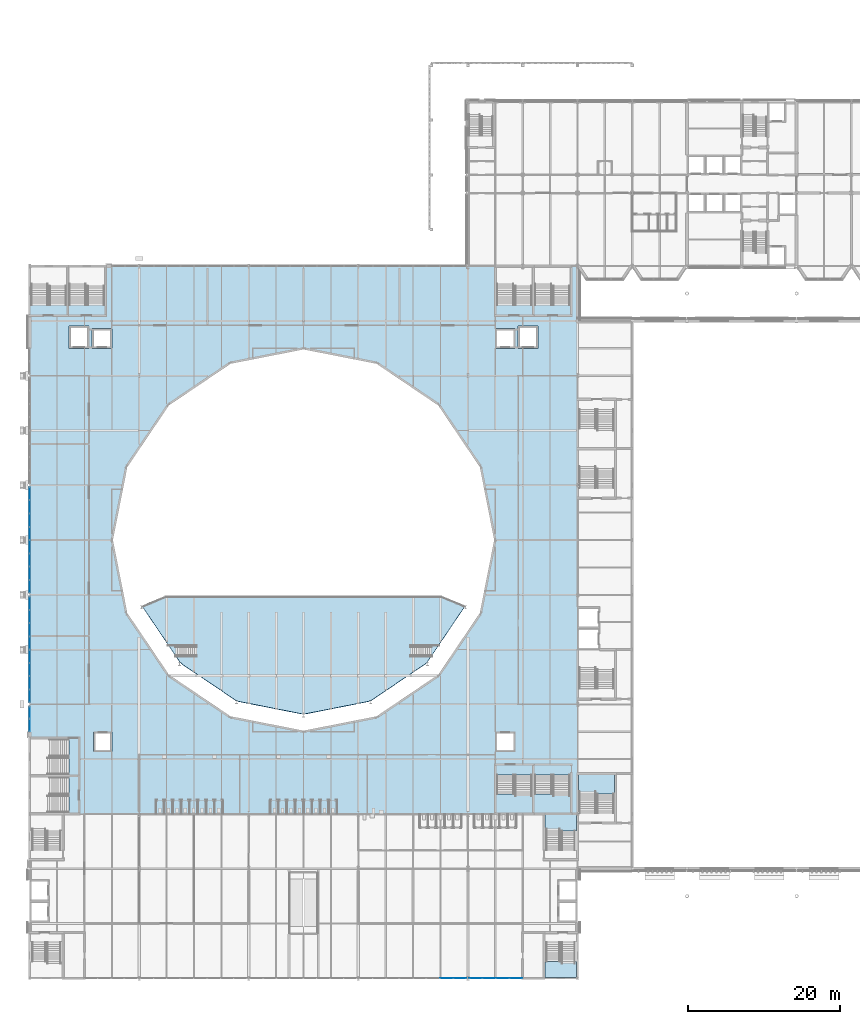
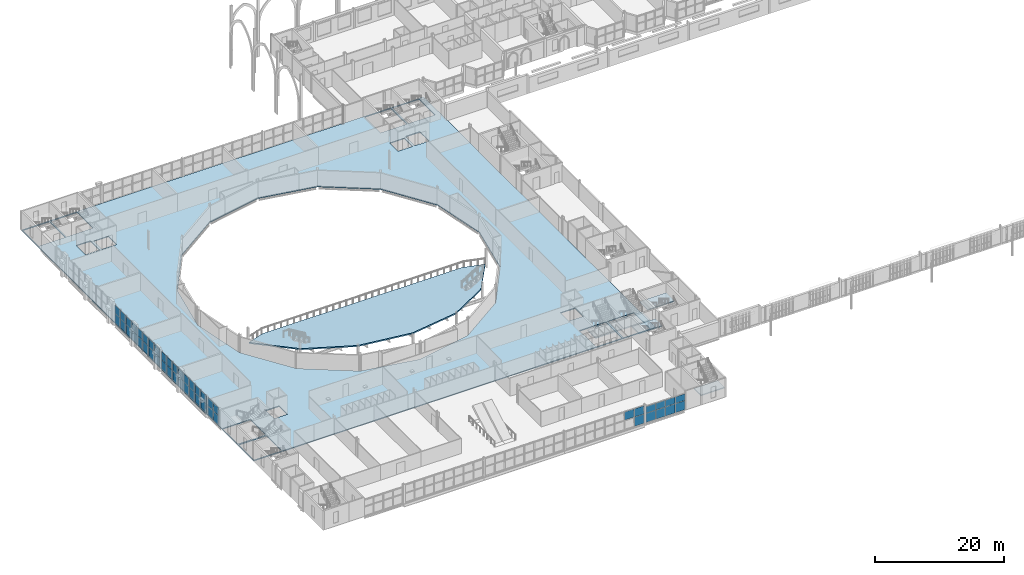
# One storey, part 58 of 124: 47 plates, 7 slabs, 12 elements without a shape of their own.
"""IFC4 building model written with IfcOpenShell, lengths in metres."""

from ifc_helpers import new_model, si_unit, direction, frame, origin, origin_2d, place, context, subcontext, project, spatial, polyline, rectangle, outline, extrude, material, layer, layer_set, type_object, element, aggregate, save


model = new_model("IFC4")

# Units and contexts
model_context = context("Model", 3, precision=1e-05, world=origin(), true_north=direction((0.0, 1.0)))
body_context = subcontext(model_context, "Body", "Model", "MODEL_VIEW")
ifc_project = project(units=[si_unit("LENGTHUNIT", "METRE"), si_unit("AREAUNIT", "SQUARE_METRE"), si_unit("VOLUMEUNIT", "CUBIC_METRE"), si_unit("PLANEANGLEUNIT", "RADIAN"), si_unit("MASSUNIT", "GRAM", prefix="KILO")], contexts=[model_context])

# Site, building, storey
site_placement = place(None, origin())
site = spatial("IfcSite", under=ifc_project, at=site_placement, CompositionType="ELEMENT")
building_placement = place(site_placement, origin())
building = spatial("IfcBuilding", under=site, at=building_placement, Name="Kupolbacken Congress Centre", CompositionType="ELEMENT")
storey_placement = place(building_placement, frame((0.0, 0.0, 10.800048828125)))
storey = spatial("IfcBuildingStorey", under=building, at=storey_placement, Name="L03", CompositionType="ELEMENT", Elevation=10.800048828125)

# Slab
ifc_material_1 = material(Name="Concrete C30/37", Category="concrete")
ifc_layer_1 = layer(ifc_material_1, 0.1201171875)
ifc_material_2 = material(Name="Steel S350 profiled deck", Category="steel")
ifc_layer_2 = layer(ifc_material_2, 0.06005859375)
ifc_layer_set_1 = layer_set([ifc_layer_1, ifc_layer_2], Name="Concrete C30/37 / Steel S350 profiled deck")
slab_type_1 = type_object("IfcSlabType", Name="FS3 slab 180", PredefinedType="FLOOR", material=ifc_layer_set_1)
slab_1_placement = place(storey_placement, frame((0.0, 0.0, -0.179931640625)))
element("IfcSlab", 1, at=slab_1_placement, inside=storey, type_object=slab_type_1, Name="S/floor/P/L03/slab/slab", PredefinedType="FLOOR", context=body_context, shape_type="SweptSolid", body=[
    extrude(outline(polyline([(7.200439453125, 50.400390625), (79.199462890625, 50.400390625), (79.199462890625, 122.3994140625), (7.200439453125, 122.3994140625), (7.200439453125, 50.400390625)]), holes=[polyline([(73.5244140625, 50.5244140625), (73.5244140625, 55.54052734375), (78.275390625, 55.54052734375), (78.275390625, 50.5244140625), (73.5244140625, 50.5244140625)]), polyline([(73.5244140625, 117.259521484375), (73.5244140625, 122.275390625), (78.275390625, 122.275390625), (78.275390625, 117.259521484375), (73.5244140625, 117.259521484375)]), polyline([(71.3994140625, 111.599609375), (71.3994140625, 114.50048828125), (74.00048828125, 114.50048828125), (74.00048828125, 111.599609375), (71.3994140625, 111.599609375)]), polyline([(73.275390625, 50.5244140625), (68.5244140625, 50.5244140625), (68.5244140625, 55.54052734375), (73.275390625, 55.54052734375), (73.275390625, 50.5244140625)]), polyline([(68.5244140625, 117.259521484375), (68.5244140625, 122.275390625), (73.275390625, 122.275390625), (73.275390625, 117.259521484375), (68.5244140625, 117.259521484375)]), polyline([(68.3994140625, 58.599609375), (68.3994140625, 61.200439453125), (71.00048828125, 61.200439453125), (71.00048828125, 58.599609375), (68.3994140625, 58.599609375)]), polyline([(68.3994140625, 111.599609375), (68.3994140625, 114.200439453125), (71.00048828125, 114.200439453125), (71.00048828125, 111.599609375), (68.3994140625, 111.599609375)]), polyline([(52.85009765625, 63.099609375), (43.199951171875, 61.199462890625), (33.5498046875, 63.099609375), (25.399658203125, 68.599609375), (19.8994140625, 76.749755859375), (17.99951171875, 86.39990234375), (19.8994140625, 96.05029296875), (25.399658203125, 104.200439453125), (33.5498046875, 109.700439453125), (43.199951171875, 111.6005859375), (52.85009765625, 109.700439453125), (61.000244140625, 104.200439453125), (66.50048828125, 96.05029296875), (68.400390625, 86.39990234375), (66.50048828125, 76.749755859375), (61.000244140625, 68.599609375), (52.85009765625, 63.099609375)]), polyline([(15.599609375, 58.599609375), (15.599609375, 61.200439453125), (18.00048828125, 61.200439453125), (18.00048828125, 58.599609375), (15.599609375, 58.599609375)]), polyline([(15.3994140625, 111.599609375), (15.3994140625, 114.200439453125), (18.00048828125, 114.200439453125), (18.00048828125, 111.599609375), (15.3994140625, 111.599609375)]), polyline([(12.324462890625, 117.259521484375), (12.324462890625, 122.275390625), (17.075439453125, 122.275390625), (17.075439453125, 117.259521484375), (12.324462890625, 117.259521484375)]), polyline([(12.3994140625, 111.599609375), (12.3994140625, 114.50048828125), (15.00048828125, 114.50048828125), (15.00048828125, 111.599609375), (12.3994140625, 111.599609375)]), polyline([(12.340576171875, 55.275390625), (12.340576171875, 50.5244140625), (7.324462890625, 50.5244140625), (7.324462890625, 55.275390625), (12.340576171875, 55.275390625)]), polyline([(7.324462890625, 55.5244140625), (7.324462890625, 60.275390625), (12.340576171875, 60.275390625), (12.340576171875, 55.5244140625), (7.324462890625, 55.5244140625)]), polyline([(7.324462890625, 117.259521484375), (7.324462890625, 122.275390625), (12.075439453125, 122.275390625), (12.075439453125, 117.259521484375), (7.324462890625, 117.259521484375)])]), origin(), (0.0, 0.0, 1.0), 0.179931640625),
])

# Curtain wall, plates
ifc_material_3 = material(Name="Aluminium mullion-transom frame with glass", Category="aluminium")
curtain_wall_type_1 = type_object("IfcCurtainWallType", Name="CW1 curtain wall 7200x3600", PredefinedType="NOTDEFINED", material=ifc_material_3)
curtain_wall_1_placement = place(storey_placement, origin())
curtain_wall_1 = element("IfcCurtainWall", 2, at=curtain_wall_1_placement, inside=storey, type_object=curtain_wall_type_1, Name="E/F/S/L03/334", PredefinedType="NOTDEFINED")
ifc_material_4 = material(Name="Glass", Category="glass")
ifc_layer_3 = layer(ifc_material_4, 0.035888671875)
ifc_layer_set_2 = layer_set([ifc_layer_3], Name="Glass")
plate_type = type_object("IfcPlateType", Name="GL2 glass panel 36", PredefinedType="CURTAIN_PANEL", material=ifc_layer_set_2)
plate_1_placement = place(storey_placement, frame((62.00634765625, 28.800048828125, 1.824951171875), z_axis=(0.0, 0.0, 1.0), x_axis=(1.0, 0.0, 0.0)))
plate_1 = element("IfcPlate", 3, at=plate_1_placement, type_object=plate_type, Name="CW1 panel 3.2", PredefinedType="CURTAIN_PANEL", context=body_context, shape_type="SweptSolid", body=[
    extrude(rectangle(XDim=1.71240234375, YDim=0.035888671875, at=origin_2d()), origin(), (0.0, 0.0, 1.0), 1.544921875),
])
plate_2_placement = place(storey_placement, frame((63.75634765625, 28.800048828125, 0.0498046875), z_axis=(0.0, 0.0, 1.0), x_axis=(1.0, 0.0, 0.0)))
plate_2 = element("IfcPlate", 4, at=plate_2_placement, type_object=plate_type, Name="CW1 panel 4.1", PredefinedType="CURTAIN_PANEL", context=body_context, shape_type="SweptSolid", body=[
    extrude(rectangle(XDim=1.6875, YDim=0.035888671875, at=origin_2d()), origin(), (0.0, 0.0, 1.0), 1.72509765625),
])
plate_3_placement = place(storey_placement, frame((63.75634765625, 28.800048828125, 1.824951171875), z_axis=(0.0, 0.0, 1.0), x_axis=(1.0, 0.0, 0.0)))
plate_3 = element("IfcPlate", 5, at=plate_3_placement, type_object=plate_type, Name="CW1 panel 4.2", PredefinedType="CURTAIN_PANEL", context=body_context, shape_type="SweptSolid", body=[
    extrude(rectangle(XDim=1.6875, YDim=0.035888671875, at=origin_2d()), origin(), (0.0, 0.0, 1.0), 1.544921875),
])
aggregate(curtain_wall_1, [plate_1, plate_2, plate_3])

curtain_wall_2_placement = place(storey_placement, origin())
curtain_wall_2 = element("IfcCurtainWall", 6, at=curtain_wall_2_placement, inside=storey, type_object=curtain_wall_type_1, Name="E/F/S/L03/335", PredefinedType="NOTDEFINED")
plate_4_placement = place(storey_placement, frame((65.84375, 28.800048828125, 0.0498046875), z_axis=(0.0, 0.0, 1.0), x_axis=(1.0, 0.0, 0.0)))
plate_4 = element("IfcPlate", 7, at=plate_4_placement, type_object=plate_type, Name="CW1 panel 1.1", PredefinedType="CURTAIN_PANEL", context=body_context, shape_type="SweptSolid", body=[
    extrude(rectangle(XDim=1.6875, YDim=0.035888671875, at=origin_2d()), origin(), (0.0, 0.0, 1.0), 1.72509765625),
])
plate_5_placement = place(storey_placement, frame((65.84375, 28.800048828125, 1.824951171875), z_axis=(0.0, 0.0, 1.0), x_axis=(1.0, 0.0, 0.0)))
plate_5 = element("IfcPlate", 8, at=plate_5_placement, type_object=plate_type, Name="CW1 panel 1.2", PredefinedType="CURTAIN_PANEL", context=body_context, shape_type="SweptSolid", body=[
    extrude(rectangle(XDim=1.6875, YDim=0.035888671875, at=origin_2d()), origin(), (0.0, 0.0, 1.0), 1.2451171875),
])
plate_6_placement = place(storey_placement, frame((67.59375, 28.800048828125, 0.0498046875), z_axis=(0.0, 0.0, 1.0), x_axis=(1.0, 0.0, 0.0)))
plate_6 = element("IfcPlate", 9, at=plate_6_placement, type_object=plate_type, Name="CW1 panel 2.1", PredefinedType="CURTAIN_PANEL", context=body_context, shape_type="SweptSolid", body=[
    extrude(rectangle(XDim=1.71240234375, YDim=0.035888671875, at=origin_2d()), origin(), (0.0, 0.0, 1.0), 1.72509765625),
])
plate_7_placement = place(storey_placement, frame((67.59375, 28.800048828125, 1.824951171875), z_axis=(0.0, 0.0, 1.0), x_axis=(1.0, 0.0, 0.0)))
plate_7 = element("IfcPlate", 10, at=plate_7_placement, type_object=plate_type, Name="CW1 panel 2.2", PredefinedType="CURTAIN_PANEL", context=body_context, shape_type="SweptSolid", body=[
    extrude(rectangle(XDim=1.71240234375, YDim=0.035888671875, at=origin_2d()), origin(), (0.0, 0.0, 1.0), 1.2451171875),
])
plate_8_placement = place(storey_placement, frame((69.356201171875, 28.800048828125, 0.0498046875), z_axis=(0.0, 0.0, 1.0), x_axis=(1.0, 0.0, 0.0)))
plate_8 = element("IfcPlate", 11, at=plate_8_placement, type_object=plate_type, Name="CW1 panel 3.1", PredefinedType="CURTAIN_PANEL", context=body_context, shape_type="SweptSolid", body=[
    extrude(rectangle(XDim=1.71240234375, YDim=0.035888671875, at=origin_2d()), origin(), (0.0, 0.0, 1.0), 1.72509765625),
])
plate_9_placement = place(storey_placement, frame((69.356201171875, 28.800048828125, 1.824951171875), z_axis=(0.0, 0.0, 1.0), x_axis=(1.0, 0.0, 0.0)))
plate_9 = element("IfcPlate", 12, at=plate_9_placement, type_object=plate_type, Name="CW1 panel 3.2", PredefinedType="CURTAIN_PANEL", context=body_context, shape_type="SweptSolid", body=[
    extrude(rectangle(XDim=1.71240234375, YDim=0.035888671875, at=origin_2d()), origin(), (0.0, 0.0, 1.0), 1.2451171875),
])
plate_10_placement = place(storey_placement, frame((71.106201171875, 28.800048828125, 0.0498046875), z_axis=(0.0, 0.0, 1.0), x_axis=(1.0, 0.0, 0.0)))
plate_10 = element("IfcPlate", 13, at=plate_10_placement, type_object=plate_type, Name="CW1 panel 4.1", PredefinedType="CURTAIN_PANEL", context=body_context, shape_type="SweptSolid", body=[
    extrude(rectangle(XDim=1.6875, YDim=0.035888671875, at=origin_2d()), origin(), (0.0, 0.0, 1.0), 1.72509765625),
])
plate_11_placement = place(storey_placement, frame((71.106201171875, 28.800048828125, 1.824951171875), z_axis=(0.0, 0.0, 1.0), x_axis=(1.0, 0.0, 0.0)))
plate_11 = element("IfcPlate", 14, at=plate_11_placement, type_object=plate_type, Name="CW1 panel 4.2", PredefinedType="CURTAIN_PANEL", context=body_context, shape_type="SweptSolid", body=[
    extrude(rectangle(XDim=1.6875, YDim=0.035888671875, at=origin_2d()), origin(), (0.0, 0.0, 1.0), 1.2451171875),
])
aggregate(curtain_wall_2, [plate_4, plate_5, plate_6, plate_7, plate_8, plate_9, plate_10, plate_11])

curtain_wall_3_placement = place(storey_placement, origin())
curtain_wall_3 = element("IfcCurtainWall", 15, at=curtain_wall_3_placement, inside=storey, type_object=curtain_wall_type_1, Name="E/P/W/L03/389", PredefinedType="NOTDEFINED")
plate_12_placement = place(storey_placement, frame((7.199951171875, 92.49072265625, 0.0498046875), z_axis=(0.0, 0.0, 1.0), x_axis=(0.0, -1.0, 0.0)))
plate_12 = element("IfcPlate", 16, at=plate_12_placement, type_object=plate_type, Name="CW1 panel 1.1", PredefinedType="CURTAIN_PANEL", context=body_context, shape_type="SweptSolid", body=[
    extrude(rectangle(XDim=1.668701171875, YDim=0.035888671875, at=origin_2d()), origin(), (0.0, 0.0, 1.0), 1.72509765625),
])
plate_13_placement = place(storey_placement, frame((7.199951171875, 92.49072265625, 1.824951171875), z_axis=(0.0, 0.0, 1.0), x_axis=(0.0, -1.0, 0.0)))
plate_13 = element("IfcPlate", 17, at=plate_13_placement, type_object=plate_type, Name="CW1 panel 1.2", PredefinedType="CURTAIN_PANEL", context=body_context, shape_type="SweptSolid", body=[
    extrude(rectangle(XDim=1.668701171875, YDim=0.035888671875, at=origin_2d()), origin(), (0.0, 0.0, 1.0), 1.544921875),
])
plate_14_placement = place(storey_placement, frame((7.199951171875, 90.75927734375, 0.0498046875), z_axis=(0.0, 0.0, 1.0), x_axis=(0.0, -1.0, 0.0)))
plate_14 = element("IfcPlate", 18, at=plate_14_placement, type_object=plate_type, Name="CW1 panel 2.1", PredefinedType="CURTAIN_PANEL", context=body_context, shape_type="SweptSolid", body=[
    extrude(rectangle(XDim=1.69384765625, YDim=0.035888671875, at=origin_2d()), origin(), (0.0, 0.0, 1.0), 1.72509765625),
])
plate_15_placement = place(storey_placement, frame((7.199951171875, 90.75927734375, 1.824951171875), z_axis=(0.0, 0.0, 1.0), x_axis=(0.0, -1.0, 0.0)))
plate_15 = element("IfcPlate", 19, at=plate_15_placement, type_object=plate_type, Name="CW1 panel 2.2", PredefinedType="CURTAIN_PANEL", context=body_context, shape_type="SweptSolid", body=[
    extrude(rectangle(XDim=1.69384765625, YDim=0.035888671875, at=origin_2d()), origin(), (0.0, 0.0, 1.0), 1.544921875),
])
plate_16_placement = place(storey_placement, frame((7.199951171875, 89.015625, 0.0498046875), z_axis=(0.0, 0.0, 1.0), x_axis=(0.0, -1.0, 0.0)))
plate_16 = element("IfcPlate", 20, at=plate_16_placement, type_object=plate_type, Name="CW1 panel 3.1", PredefinedType="CURTAIN_PANEL", context=body_context, shape_type="SweptSolid", body=[
    extrude(rectangle(XDim=1.69384765625, YDim=0.035888671875, at=origin_2d()), origin(), (0.0, 0.0, 1.0), 1.72509765625),
])
plate_17_placement = place(storey_placement, frame((7.199951171875, 89.015625, 1.824951171875), z_axis=(0.0, 0.0, 1.0), x_axis=(0.0, -1.0, 0.0)))
plate_17 = element("IfcPlate", 21, at=plate_17_placement, type_object=plate_type, Name="CW1 panel 3.2", PredefinedType="CURTAIN_PANEL", context=body_context, shape_type="SweptSolid", body=[
    extrude(rectangle(XDim=1.69384765625, YDim=0.035888671875, at=origin_2d()), origin(), (0.0, 0.0, 1.0), 1.544921875),
])
plate_18_placement = place(storey_placement, frame((7.199951171875, 87.284423828125, 0.0498046875), z_axis=(0.0, 0.0, 1.0), x_axis=(0.0, -1.0, 0.0)))
plate_18 = element("IfcPlate", 22, at=plate_18_placement, type_object=plate_type, Name="CW1 panel 4.1", PredefinedType="CURTAIN_PANEL", context=body_context, shape_type="SweptSolid", body=[
    extrude(rectangle(XDim=1.668701171875, YDim=0.035888671875, at=origin_2d()), origin(), (0.0, 0.0, 1.0), 1.72509765625),
])
plate_19_placement = place(storey_placement, frame((7.199951171875, 87.284423828125, 1.824951171875), z_axis=(0.0, 0.0, 1.0), x_axis=(0.0, -1.0, 0.0)))
plate_19 = element("IfcPlate", 23, at=plate_19_placement, type_object=plate_type, Name="CW1 panel 4.2", PredefinedType="CURTAIN_PANEL", context=body_context, shape_type="SweptSolid", body=[
    extrude(rectangle(XDim=1.668701171875, YDim=0.035888671875, at=origin_2d()), origin(), (0.0, 0.0, 1.0), 1.544921875),
])
aggregate(curtain_wall_3, [plate_12, plate_13, plate_14, plate_15, plate_16, plate_17, plate_18, plate_19])

curtain_wall_4_placement = place(storey_placement, origin())
curtain_wall_4 = element("IfcCurtainWall", 24, at=curtain_wall_4_placement, inside=storey, type_object=curtain_wall_type_1, Name="E/P/W/L03/390", PredefinedType="NOTDEFINED")
plate_20_placement = place(storey_placement, frame((7.199951171875, 85.515625, 0.0498046875), z_axis=(0.0, 0.0, 1.0), x_axis=(0.0, -1.0, 0.0)))
plate_20 = element("IfcPlate", 25, at=plate_20_placement, type_object=plate_type, Name="CW1 panel 1.1", PredefinedType="CURTAIN_PANEL", context=body_context, shape_type="SweptSolid", body=[
    extrude(rectangle(XDim=1.668701171875, YDim=0.035888671875, at=origin_2d()), origin(), (0.0, 0.0, 1.0), 1.72509765625),
])
plate_21_placement = place(storey_placement, frame((7.199951171875, 85.515625, 1.824951171875), z_axis=(0.0, 0.0, 1.0), x_axis=(0.0, -1.0, 0.0)))
plate_21 = element("IfcPlate", 26, at=plate_21_placement, type_object=plate_type, Name="CW1 panel 1.2", PredefinedType="CURTAIN_PANEL", context=body_context, shape_type="SweptSolid", body=[
    extrude(rectangle(XDim=1.668701171875, YDim=0.035888671875, at=origin_2d()), origin(), (0.0, 0.0, 1.0), 1.544921875),
])
plate_22_placement = place(storey_placement, frame((7.199951171875, 83.784423828125, 0.0498046875), z_axis=(0.0, 0.0, 1.0), x_axis=(0.0, -1.0, 0.0)))
plate_22 = element("IfcPlate", 27, at=plate_22_placement, type_object=plate_type, Name="CW1 panel 2.1", PredefinedType="CURTAIN_PANEL", context=body_context, shape_type="SweptSolid", body=[
    extrude(rectangle(XDim=1.69384765625, YDim=0.035888671875, at=origin_2d()), origin(), (0.0, 0.0, 1.0), 1.72509765625),
])
plate_23_placement = place(storey_placement, frame((7.199951171875, 83.784423828125, 1.824951171875), z_axis=(0.0, 0.0, 1.0), x_axis=(0.0, -1.0, 0.0)))
plate_23 = element("IfcPlate", 28, at=plate_23_placement, type_object=plate_type, Name="CW1 panel 2.2", PredefinedType="CURTAIN_PANEL", context=body_context, shape_type="SweptSolid", body=[
    extrude(rectangle(XDim=1.69384765625, YDim=0.035888671875, at=origin_2d()), origin(), (0.0, 0.0, 1.0), 1.544921875),
])
plate_24_placement = place(storey_placement, frame((7.199951171875, 82.04052734375, 0.0498046875), z_axis=(0.0, 0.0, 1.0), x_axis=(0.0, -1.0, 0.0)))
plate_24 = element("IfcPlate", 29, at=plate_24_placement, type_object=plate_type, Name="CW1 panel 3.1", PredefinedType="CURTAIN_PANEL", context=body_context, shape_type="SweptSolid", body=[
    extrude(rectangle(XDim=1.69384765625, YDim=0.035888671875, at=origin_2d()), origin(), (0.0, 0.0, 1.0), 1.72509765625),
])
plate_25_placement = place(storey_placement, frame((7.199951171875, 82.04052734375, 1.824951171875), z_axis=(0.0, 0.0, 1.0), x_axis=(0.0, -1.0, 0.0)))
plate_25 = element("IfcPlate", 30, at=plate_25_placement, type_object=plate_type, Name="CW1 panel 3.2", PredefinedType="CURTAIN_PANEL", context=body_context, shape_type="SweptSolid", body=[
    extrude(rectangle(XDim=1.69384765625, YDim=0.035888671875, at=origin_2d()), origin(), (0.0, 0.0, 1.0), 1.544921875),
])
plate_26_placement = place(storey_placement, frame((7.199951171875, 80.309326171875, 0.0498046875), z_axis=(0.0, 0.0, 1.0), x_axis=(0.0, -1.0, 0.0)))
plate_26 = element("IfcPlate", 31, at=plate_26_placement, type_object=plate_type, Name="CW1 panel 4.1", PredefinedType="CURTAIN_PANEL", context=body_context, shape_type="SweptSolid", body=[
    extrude(rectangle(XDim=1.668701171875, YDim=0.035888671875, at=origin_2d()), origin(), (0.0, 0.0, 1.0), 1.72509765625),
])
plate_27_placement = place(storey_placement, frame((7.199951171875, 80.309326171875, 1.824951171875), z_axis=(0.0, 0.0, 1.0), x_axis=(0.0, -1.0, 0.0)))
plate_27 = element("IfcPlate", 32, at=plate_27_placement, type_object=plate_type, Name="CW1 panel 4.2", PredefinedType="CURTAIN_PANEL", context=body_context, shape_type="SweptSolid", body=[
    extrude(rectangle(XDim=1.668701171875, YDim=0.035888671875, at=origin_2d()), origin(), (0.0, 0.0, 1.0), 1.544921875),
])
aggregate(curtain_wall_4, [plate_20, plate_21, plate_22, plate_23, plate_24, plate_25, plate_26, plate_27])

curtain_wall_5_placement = place(storey_placement, origin())
curtain_wall_5 = element("IfcCurtainWall", 33, at=curtain_wall_5_placement, inside=storey, type_object=curtain_wall_type_1, Name="E/P/W/L03/391", PredefinedType="NOTDEFINED")
plate_28_placement = place(storey_placement, frame((7.199951171875, 78.090576171875, 0.0498046875), z_axis=(0.0, 0.0, 1.0), x_axis=(0.0, -1.0, 0.0)))
plate_28 = element("IfcPlate", 34, at=plate_28_placement, type_object=plate_type, Name="CW1 panel 1.1", PredefinedType="CURTAIN_PANEL", context=body_context, shape_type="SweptSolid", body=[
    extrude(rectangle(XDim=1.668701171875, YDim=0.035888671875, at=origin_2d()), origin(), (0.0, 0.0, 1.0), 1.72509765625),
])
plate_29_placement = place(storey_placement, frame((7.199951171875, 78.090576171875, 1.824951171875), z_axis=(0.0, 0.0, 1.0), x_axis=(0.0, -1.0, 0.0)))
plate_29 = element("IfcPlate", 35, at=plate_29_placement, type_object=plate_type, Name="CW1 panel 1.2", PredefinedType="CURTAIN_PANEL", context=body_context, shape_type="SweptSolid", body=[
    extrude(rectangle(XDim=1.668701171875, YDim=0.035888671875, at=origin_2d()), origin(), (0.0, 0.0, 1.0), 1.544921875),
])
plate_30_placement = place(storey_placement, frame((7.199951171875, 76.359375, 0.0498046875), z_axis=(0.0, 0.0, 1.0), x_axis=(0.0, -1.0, 0.0)))
plate_30 = element("IfcPlate", 36, at=plate_30_placement, type_object=plate_type, Name="CW1 panel 2.1", PredefinedType="CURTAIN_PANEL", context=body_context, shape_type="SweptSolid", body=[
    extrude(rectangle(XDim=1.69384765625, YDim=0.035888671875, at=origin_2d()), origin(), (0.0, 0.0, 1.0), 1.72509765625),
])
plate_31_placement = place(storey_placement, frame((7.199951171875, 76.359375, 1.824951171875), z_axis=(0.0, 0.0, 1.0), x_axis=(0.0, -1.0, 0.0)))
plate_31 = element("IfcPlate", 37, at=plate_31_placement, type_object=plate_type, Name="CW1 panel 2.2", PredefinedType="CURTAIN_PANEL", context=body_context, shape_type="SweptSolid", body=[
    extrude(rectangle(XDim=1.69384765625, YDim=0.035888671875, at=origin_2d()), origin(), (0.0, 0.0, 1.0), 1.544921875),
])
plate_32_placement = place(storey_placement, frame((7.199951171875, 74.61572265625, 0.0498046875), z_axis=(0.0, 0.0, 1.0), x_axis=(0.0, -1.0, 0.0)))
plate_32 = element("IfcPlate", 38, at=plate_32_placement, type_object=plate_type, Name="CW1 panel 3.1", PredefinedType="CURTAIN_PANEL", context=body_context, shape_type="SweptSolid", body=[
    extrude(rectangle(XDim=1.69384765625, YDim=0.035888671875, at=origin_2d()), origin(), (0.0, 0.0, 1.0), 1.72509765625),
])
plate_33_placement = place(storey_placement, frame((7.199951171875, 74.61572265625, 1.824951171875), z_axis=(0.0, 0.0, 1.0), x_axis=(0.0, -1.0, 0.0)))
plate_33 = element("IfcPlate", 39, at=plate_33_placement, type_object=plate_type, Name="CW1 panel 3.2", PredefinedType="CURTAIN_PANEL", context=body_context, shape_type="SweptSolid", body=[
    extrude(rectangle(XDim=1.69384765625, YDim=0.035888671875, at=origin_2d()), origin(), (0.0, 0.0, 1.0), 1.544921875),
])
plate_34_placement = place(storey_placement, frame((7.199951171875, 72.88427734375, 0.0498046875), z_axis=(0.0, 0.0, 1.0), x_axis=(0.0, -1.0, 0.0)))
plate_34 = element("IfcPlate", 40, at=plate_34_placement, type_object=plate_type, Name="CW1 panel 4.1", PredefinedType="CURTAIN_PANEL", context=body_context, shape_type="SweptSolid", body=[
    extrude(rectangle(XDim=1.668701171875, YDim=0.035888671875, at=origin_2d()), origin(), (0.0, 0.0, 1.0), 1.72509765625),
])
plate_35_placement = place(storey_placement, frame((7.199951171875, 72.88427734375, 1.824951171875), z_axis=(0.0, 0.0, 1.0), x_axis=(0.0, -1.0, 0.0)))
plate_35 = element("IfcPlate", 41, at=plate_35_placement, type_object=plate_type, Name="CW1 panel 4.2", PredefinedType="CURTAIN_PANEL", context=body_context, shape_type="SweptSolid", body=[
    extrude(rectangle(XDim=1.668701171875, YDim=0.035888671875, at=origin_2d()), origin(), (0.0, 0.0, 1.0), 1.544921875),
])
aggregate(curtain_wall_5, [plate_28, plate_29, plate_30, plate_31, plate_32, plate_33, plate_34, plate_35])

curtain_wall_6_placement = place(storey_placement, origin())
curtain_wall_6 = element("IfcCurtainWall", 42, at=curtain_wall_6_placement, inside=storey, type_object=curtain_wall_type_1, Name="E/P/W/L03/392", PredefinedType="NOTDEFINED")
plate_36_placement = place(storey_placement, frame((7.199951171875, 71.11572265625, 0.0498046875), z_axis=(0.0, 0.0, 1.0), x_axis=(0.0, -1.0, 0.0)))
plate_36 = element("IfcPlate", 43, at=plate_36_placement, type_object=plate_type, Name="CW1 panel 1.1", PredefinedType="CURTAIN_PANEL", context=body_context, shape_type="SweptSolid", body=[
    extrude(rectangle(XDim=1.668701171875, YDim=0.035888671875, at=origin_2d()), origin(), (0.0, 0.0, 1.0), 1.72509765625),
])
plate_37_placement = place(storey_placement, frame((7.199951171875, 71.11572265625, 1.824951171875), z_axis=(0.0, 0.0, 1.0), x_axis=(0.0, -1.0, 0.0)))
plate_37 = element("IfcPlate", 44, at=plate_37_placement, type_object=plate_type, Name="CW1 panel 1.2", PredefinedType="CURTAIN_PANEL", context=body_context, shape_type="SweptSolid", body=[
    extrude(rectangle(XDim=1.668701171875, YDim=0.035888671875, at=origin_2d()), origin(), (0.0, 0.0, 1.0), 1.544921875),
])
plate_38_placement = place(storey_placement, frame((7.199951171875, 69.38427734375, 0.0498046875), z_axis=(0.0, 0.0, 1.0), x_axis=(0.0, -1.0, 0.0)))
plate_38 = element("IfcPlate", 45, at=plate_38_placement, type_object=plate_type, Name="CW1 panel 2.1", PredefinedType="CURTAIN_PANEL", context=body_context, shape_type="SweptSolid", body=[
    extrude(rectangle(XDim=1.69384765625, YDim=0.035888671875, at=origin_2d()), origin(), (0.0, 0.0, 1.0), 1.72509765625),
])
plate_39_placement = place(storey_placement, frame((7.199951171875, 69.38427734375, 1.824951171875), z_axis=(0.0, 0.0, 1.0), x_axis=(0.0, -1.0, 0.0)))
plate_39 = element("IfcPlate", 46, at=plate_39_placement, type_object=plate_type, Name="CW1 panel 2.2", PredefinedType="CURTAIN_PANEL", context=body_context, shape_type="SweptSolid", body=[
    extrude(rectangle(XDim=1.69384765625, YDim=0.035888671875, at=origin_2d()), origin(), (0.0, 0.0, 1.0), 1.544921875),
])
plate_40_placement = place(storey_placement, frame((7.199951171875, 67.640625, 0.0498046875), z_axis=(0.0, 0.0, 1.0), x_axis=(0.0, -1.0, 0.0)))
plate_40 = element("IfcPlate", 47, at=plate_40_placement, type_object=plate_type, Name="CW1 panel 3.1", PredefinedType="CURTAIN_PANEL", context=body_context, shape_type="SweptSolid", body=[
    extrude(rectangle(XDim=1.69384765625, YDim=0.035888671875, at=origin_2d()), origin(), (0.0, 0.0, 1.0), 1.72509765625),
])
plate_41_placement = place(storey_placement, frame((7.199951171875, 67.640625, 1.824951171875), z_axis=(0.0, 0.0, 1.0), x_axis=(0.0, -1.0, 0.0)))
plate_41 = element("IfcPlate", 48, at=plate_41_placement, type_object=plate_type, Name="CW1 panel 3.2", PredefinedType="CURTAIN_PANEL", context=body_context, shape_type="SweptSolid", body=[
    extrude(rectangle(XDim=1.69384765625, YDim=0.035888671875, at=origin_2d()), origin(), (0.0, 0.0, 1.0), 1.544921875),
])
plate_42_placement = place(storey_placement, frame((7.199951171875, 65.909423828125, 0.0498046875), z_axis=(0.0, 0.0, 1.0), x_axis=(0.0, -1.0, 0.0)))
plate_42 = element("IfcPlate", 49, at=plate_42_placement, type_object=plate_type, Name="CW1 panel 4.1", PredefinedType="CURTAIN_PANEL", context=body_context, shape_type="SweptSolid", body=[
    extrude(rectangle(XDim=1.668701171875, YDim=0.035888671875, at=origin_2d()), origin(), (0.0, 0.0, 1.0), 1.72509765625),
])
plate_43_placement = place(storey_placement, frame((7.199951171875, 65.909423828125, 1.824951171875), z_axis=(0.0, 0.0, 1.0), x_axis=(0.0, -1.0, 0.0)))
plate_43 = element("IfcPlate", 50, at=plate_43_placement, type_object=plate_type, Name="CW1 panel 4.2", PredefinedType="CURTAIN_PANEL", context=body_context, shape_type="SweptSolid", body=[
    extrude(rectangle(XDim=1.668701171875, YDim=0.035888671875, at=origin_2d()), origin(), (0.0, 0.0, 1.0), 1.544921875),
])
aggregate(curtain_wall_6, [plate_36, plate_37, plate_38, plate_39, plate_40, plate_41, plate_42, plate_43])

ifc_material_5 = material(Name="Aluminium mullion-transom frame with glass", Category="aluminium")
curtain_wall_type_2 = type_object("IfcCurtainWallType", Name="CW2 curtain wall 3600x3600", PredefinedType="NOTDEFINED", material=ifc_material_5)
curtain_wall_7_placement = place(storey_placement, origin())
curtain_wall_7 = element("IfcCurtainWall", 51, at=curtain_wall_7_placement, inside=storey, type_object=curtain_wall_type_2, Name="E/P/W/L03/393", PredefinedType="NOTDEFINED")
plate_44_placement = place(storey_placement, frame((7.199951171875, 63.71630859375, 0.06005859375), z_axis=(0.0, 0.0, 1.0), x_axis=(0.0, -1.0, 0.0)))
plate_44 = element("IfcPlate", 52, at=plate_44_placement, type_object=plate_type, Name="CW2 panel 1.1", PredefinedType="CURTAIN_PANEL", context=body_context, shape_type="SweptSolid", body=[
    extrude(rectangle(XDim=1.597412109375, YDim=0.035888671875, at=origin_2d()), origin(), (0.0, 0.0, 1.0), 1.7099609375),
])
plate_45_placement = place(storey_placement, frame((7.199951171875, 63.71630859375, 1.830078125), z_axis=(0.0, 0.0, 1.0), x_axis=(0.0, -1.0, 0.0)))
plate_45 = element("IfcPlate", 53, at=plate_45_placement, type_object=plate_type, Name="CW2 panel 1.2", PredefinedType="CURTAIN_PANEL", context=body_context, shape_type="SweptSolid", body=[
    extrude(rectangle(XDim=1.597412109375, YDim=0.035888671875, at=origin_2d()), origin(), (0.0, 0.0, 1.0), 1.530029296875),
])
plate_46_placement = place(storey_placement, frame((7.199951171875, 62.058837890625, 0.06005859375), z_axis=(0.0, 0.0, 1.0), x_axis=(0.0, -1.0, 0.0)))
plate_46 = element("IfcPlate", 54, at=plate_46_placement, type_object=plate_type, Name="CW2 panel 2.1", PredefinedType="CURTAIN_PANEL", context=body_context, shape_type="SweptSolid", body=[
    extrude(rectangle(XDim=1.597412109375, YDim=0.035888671875, at=origin_2d()), origin(), (0.0, 0.0, 1.0), 1.7099609375),
])
plate_47_placement = place(storey_placement, frame((7.199951171875, 62.058837890625, 1.830078125), z_axis=(0.0, 0.0, 1.0), x_axis=(0.0, -1.0, 0.0)))
plate_47 = element("IfcPlate", 55, at=plate_47_placement, type_object=plate_type, Name="CW2 panel 2.2", PredefinedType="CURTAIN_PANEL", context=body_context, shape_type="SweptSolid", body=[
    extrude(rectangle(XDim=1.597412109375, YDim=0.035888671875, at=origin_2d()), origin(), (0.0, 0.0, 1.0), 1.530029296875),
])
aggregate(curtain_wall_7, [plate_44, plate_45, plate_46, plate_47])

# Slab
ifc_layer_4 = layer(ifc_material_1, 0.14990234375)
ifc_layer_5 = layer(ifc_material_2, 0.06005859375)
ifc_layer_set_3 = layer_set([ifc_layer_4, ifc_layer_5], Name="Concrete C30/37 / Steel S350 profiled deck")
slab_type_2 = type_object("IfcSlabType", Name="RF2 slab 210", PredefinedType="FLOOR", material=ifc_layer_set_3)
slab_2_placement = place(storey_placement, frame((43.3701171875, 63.536865234375, 3.59326171875), z_axis=(0.0, 0.205516355634, 0.978653681118), x_axis=(0.0, 0.978653681118, -0.205516355634)))
element("IfcSlab", 56, at=slab_2_placement, inside=storey, type_object=slab_type_2, Name="Raked balcony tier", PredefinedType="FLOOR", context=body_context, shape_type="SweptSolid", body=[
    extrude(outline(polyline([(0.0, 0.0), (0.024707655737073266, 0.0), (0.024707655737073266, 0.340087890625), (0.0, 0.340087890625), (1.7068543674949423, 8.82421875), (1.8183721245480664, 8.82421875), (1.8183721245480664, 9.064208984375), (6.811423557731122, 16.30517578125), (6.925958988915184, 16.30517578125), (6.925958988915184, 16.40087890625), (14.349315750487944, 21.3037109375), (14.41716444031592, 21.3037109375), (15.800429992015241, 18.035400390625), (15.800429992015241, -17.695068359375), (14.41716444031592, -20.96337890625), (14.349315750487944, -20.96337890625), (6.925958988915184, -16.060791015625), (6.925958988915184, -15.965087890625), (6.811423557731122, -15.965087890625), (1.8183721245480664, -8.723876953125), (1.8183721245480664, -8.484130859375), (1.7068543674949423, -8.484130859375), (0.0, 0.0)])), origin(), (0.0, 0.0, -1.0), 0.2099609375),
])

# Stair, slab
ifc_material_6 = material(Name="Steel S355", Category="steel")
stair_type_1 = type_object("IfcStairType", Name="ST3 stair 1800", PredefinedType="TWO_STRAIGHT_RUN_STAIR", material=ifc_material_6)
stair_1_placement = place(storey_placement, origin())
stair_1 = element("IfcStair", 57, at=stair_1_placement, inside=storey, type_object=stair_type_1, Name="C/stair/FS1E/L03", PredefinedType="NOTDEFINED")
ifc_layer_6 = layer(ifc_material_1, 0.175048828125)
ifc_material_7 = material(Name="Limestone", Category="masonry")
ifc_layer_7 = layer(ifc_material_7, 0.030029296875)
ifc_layer_set_4 = layer_set([ifc_layer_6, ifc_layer_7], Name="Concrete C30/37 / Limestone")
slab_type_3 = type_object("IfcSlabType", Name="SL2 slab 205", PredefinedType="LANDING", material=ifc_layer_set_4)
slab_3_placement = place(storey_placement, frame((0.0, 0.0, 1.50927734375)))
slab_3 = element("IfcSlab", 58, at=slab_3_placement, type_object=slab_type_3, Name="FS1E landing 1", PredefinedType="LANDING", context=body_context, shape_type="SweptSolid", body=[
    extrude(outline(polyline([(74.905029296875, 28.905029296875), (79.094970703125, 28.905029296875), (79.094970703125, 31.030029296875), (74.905029296875, 31.030029296875), (74.905029296875, 28.905029296875)])), origin(), (0.0, 0.0, 1.0), 0.205078125),
])
aggregate(stair_1, [slab_3])

stair_2_placement = place(storey_placement, origin())
stair_2 = element("IfcStair", 59, at=stair_2_placement, inside=storey, type_object=stair_type_1, Name="C/stair/FS2E/L03", PredefinedType="NOTDEFINED")
slab_4_placement = place(storey_placement, frame((0.0, 0.0, 1.50927734375)))
slab_4 = element("IfcSlab", 60, at=slab_4_placement, type_object=slab_type_3, Name="FS2E landing 1", PredefinedType="LANDING", context=body_context, shape_type="SweptSolid", body=[
    extrude(outline(polyline([(74.905029296875, 48.169921875), (79.094970703125, 48.169921875), (79.094970703125, 50.294921875), (74.905029296875, 50.294921875), (74.905029296875, 48.169921875)])), origin(), (0.0, 0.0, 1.0), 0.205078125),
])
aggregate(stair_2, [slab_4])

ifc_material_8 = material(Name="Concrete C30/37", Category="concrete")
stair_type_2 = type_object("IfcStairType", Name="ST13 stair 2200", PredefinedType="TWO_STRAIGHT_RUN_STAIR", material=ifc_material_8)
stair_3_placement = place(storey_placement, origin())
stair_3 = element("IfcStair", 61, at=stair_3_placement, inside=storey, type_object=stair_type_2, Name="C/stair/PS1SE/L03", PredefinedType="NOTDEFINED")
slab_5_placement = place(storey_placement, frame((0.0, 0.0, 1.50927734375)))
slab_5 = element("IfcSlab", 62, at=slab_5_placement, type_object=slab_type_3, Name="PS1SE landing 1", PredefinedType="LANDING", context=body_context, shape_type="SweptSolid", body=[
    extrude(outline(polyline([(68.5048828125, 50.5048828125), (73.294921875, 50.5048828125), (73.294921875, 53.030029296875), (68.5048828125, 53.030029296875), (68.5048828125, 50.5048828125)])), origin(), (0.0, 0.0, 1.0), 0.205078125),
])
aggregate(stair_3, [slab_5])

stair_4_placement = place(storey_placement, origin())
stair_4 = element("IfcStair", 63, at=stair_4_placement, inside=storey, type_object=stair_type_2, Name="C/stair/PS2SE/L03", PredefinedType="NOTDEFINED")
slab_6_placement = place(storey_placement, frame((0.0, 0.0, 1.50927734375)))
slab_6 = element("IfcSlab", 64, at=slab_6_placement, type_object=slab_type_3, Name="PS2SE landing 1", PredefinedType="LANDING", context=body_context, shape_type="SweptSolid", body=[
    extrude(outline(polyline([(73.5048828125, 50.5048828125), (78.294921875, 50.5048828125), (78.294921875, 53.030029296875), (73.5048828125, 53.030029296875), (73.5048828125, 50.5048828125)])), origin(), (0.0, 0.0, 1.0), 0.205078125),
])
aggregate(stair_4, [slab_6])

stair_5_placement = place(storey_placement, origin())
stair_5 = element("IfcStair", 65, at=stair_5_placement, inside=storey, type_object=stair_type_2, Name="C/stair/LS1/L03", PredefinedType="NOTDEFINED")
slab_7_placement = place(storey_placement, frame((0.0, 0.0, 1.50927734375)))
slab_7 = element("IfcSlab", 66, at=slab_7_placement, type_object=slab_type_3, Name="LS1 landing 1", PredefinedType="LANDING", context=body_context, shape_type="SweptSolid", body=[
    extrude(outline(polyline([(79.330078125, 53.044921875), (84.070068359375, 53.044921875), (84.070068359375, 55.570068359375), (79.330078125, 55.570068359375), (79.330078125, 53.044921875)])), origin(), (0.0, 0.0, 1.0), 0.205078125),
])
aggregate(stair_5, [slab_7])

save(model, "model.ifc")
